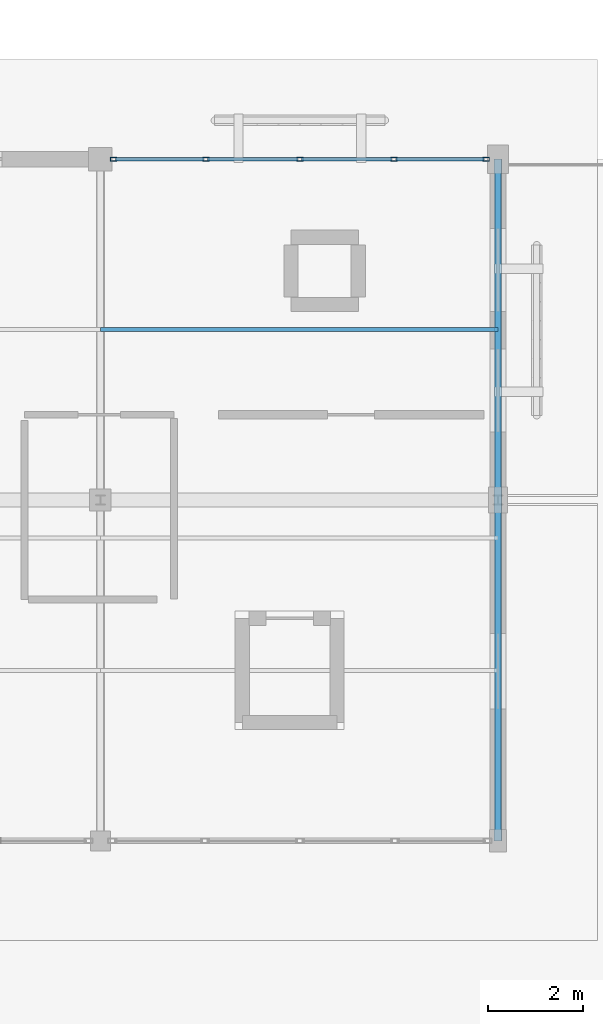
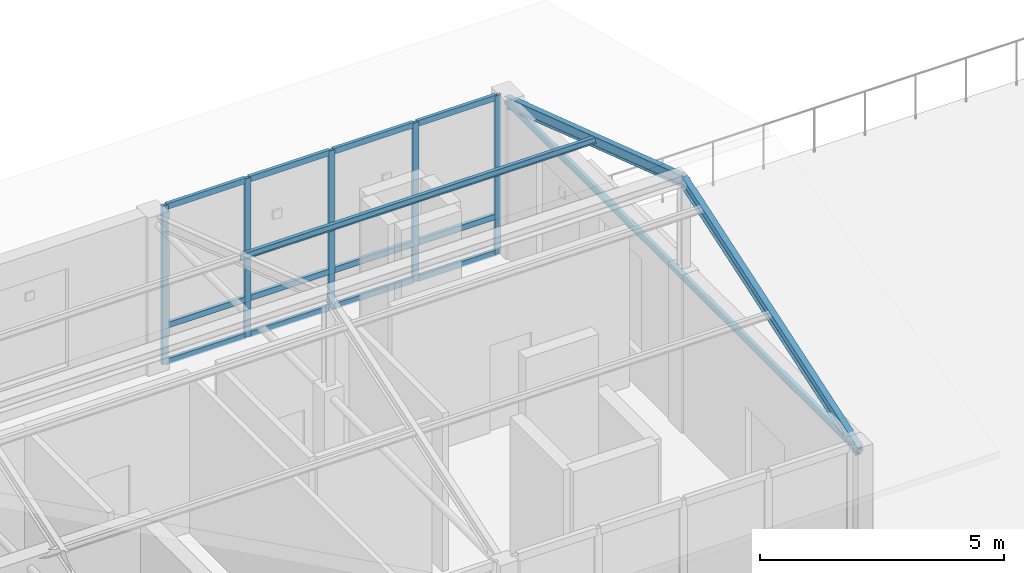
# One storey, part 39 of 112: 21 members, 1 element without a shape of its own.
"""IFC4 building model written with IfcOpenShell, lengths in metres."""

from ifc_helpers import new_model, si_unit, direction, frame, origin, origin_2d, place, context, subcontext, project, spatial, hollow_rectangle, hollow_circle, i_section, extrude, material, layer, layer_set, material_profile, profile_set, type_object, element, aggregate, save


model = new_model("IFC4")

# Units and contexts
model_context = context("Model", 3, precision=1e-05, world=origin(), true_north=direction((0.0, 1.0)))
body_context = subcontext(model_context, "Body", "Model", "MODEL_VIEW")
ifc_project = project(units=[si_unit("LENGTHUNIT", "METRE"), si_unit("AREAUNIT", "SQUARE_METRE"), si_unit("VOLUMEUNIT", "CUBIC_METRE"), si_unit("PLANEANGLEUNIT", "RADIAN"), si_unit("MASSUNIT", "GRAM", prefix="KILO")], contexts=[model_context])

# Site, building, storey
site_placement = place(None, origin())
site = spatial("IfcSite", under=ifc_project, at=site_placement, CompositionType="ELEMENT")
building_placement = place(site_placement, origin())
building = spatial("IfcBuilding", under=site, at=building_placement, Name="Mazaris Harbour Polytechnic", CompositionType="ELEMENT")
storey_placement = place(building_placement, frame((0.0, 0.0, 13.800048828125)))
storey = spatial("IfcBuildingStorey", under=building, at=storey_placement, Name="L03", CompositionType="ELEMENT", Elevation=13.800048828125)

# Curtain wall, members
ifc_material_1 = material(Name="Anodised Bronze Aluminium and Low-E Glass", Category="aluminium")
ifc_layer = layer(ifc_material_1, 0.159912109375, Name="Anodised Bronze Aluminium and Low-E Glass")
ifc_layer_set = layer_set([ifc_layer], Name="Anodised Bronze Aluminium and Low-E Glass")
curtain_wall_type = type_object("IfcCurtainWallType", Name="Cloister Court Curtain Wall", PredefinedType="NOTDEFINED", material=ifc_layer_set)
curtain_wall_placement = place(storey_placement, origin())
curtain_wall = element("IfcCurtainWall", 1, at=curtain_wall_placement, inside=storey, type_object=curtain_wall_type, Name="V3 L03 Curtain Wall 94", PredefinedType="NOTDEFINED")
ifc_material_2 = material(Name="Anodised Bronze Steel S355", Category="steel")
ifc_material_profile_1 = material_profile(ifc_material_2, hollow_rectangle(XDim=0.080078125, YDim=0.139892578125, WallThickness=0.00634765625, at=origin_2d()), Name="RHS 80x140x6.3")
ifc_profile_set_1 = profile_set([ifc_material_profile_1], Name="Anodised Bronze Steel S355")
member_type_1 = type_object("IfcMemberType", Name="Curtain Mullion RHS80x140", PredefinedType="MULLION", material=ifc_profile_set_1)
member_1_placement = place(storey_placement, frame((71.08203125, 36.0, 0.0), z_axis=(0.0, 0.0, 1.0), x_axis=(0.0, 1.0, 0.0)))
member_1 = element("IfcMember", 2, at=member_1_placement, type_object=member_type_1, Name="CW-02 mullion 1", PredefinedType="MULLION", context=body_context, shape_type="SweptSolid", body=[
    extrude(hollow_rectangle(XDim=0.080078125, YDim=0.139892578125, WallThickness=0.00634765625, at=origin_2d()), origin(), (0.0, 0.0, 1.0), 3.9599609375),
])
member_2_placement = place(storey_placement, frame((73.028564453125, 36.0, 0.0), z_axis=(0.0, 0.0, 1.0), x_axis=(0.0, 1.0, 0.0)))
member_2 = element("IfcMember", 3, at=member_2_placement, type_object=member_type_1, Name="CW-02 mullion 2", PredefinedType="MULLION", context=body_context, shape_type="SweptSolid", body=[
    extrude(hollow_rectangle(XDim=0.080078125, YDim=0.139892578125, WallThickness=0.00634765625, at=origin_2d()), origin(), (0.0, 0.0, 1.0), 3.9599609375),
])
member_3_placement = place(storey_placement, frame((75.014892578125, 36.0, 0.0), z_axis=(0.0, 0.0, 1.0), x_axis=(0.0, 1.0, 0.0)))
member_3 = element("IfcMember", 4, at=member_3_placement, type_object=member_type_1, Name="CW-02 mullion 3", PredefinedType="MULLION", context=body_context, shape_type="SweptSolid", body=[
    extrude(hollow_rectangle(XDim=0.080078125, YDim=0.139892578125, WallThickness=0.00634765625, at=origin_2d()), origin(), (0.0, 0.0, 1.0), 3.9599609375),
])
member_4_placement = place(storey_placement, frame((77.00146484375, 36.0, 0.0), z_axis=(0.0, 0.0, 1.0), x_axis=(0.0, 1.0, 0.0)))
member_4 = element("IfcMember", 5, at=member_4_placement, type_object=member_type_1, Name="CW-02 mullion 4", PredefinedType="MULLION", context=body_context, shape_type="SweptSolid", body=[
    extrude(hollow_rectangle(XDim=0.080078125, YDim=0.139892578125, WallThickness=0.00634765625, at=origin_2d()), origin(), (0.0, 0.0, 1.0), 3.9599609375),
])
member_5_placement = place(storey_placement, frame((78.947998046875, 36.0, 0.0), z_axis=(0.0, 0.0, 1.0), x_axis=(0.0, 1.0, 0.0)))
member_5 = element("IfcMember", 6, at=member_5_placement, type_object=member_type_1, Name="CW-02 mullion 5", PredefinedType="MULLION", context=body_context, shape_type="SweptSolid", body=[
    extrude(hollow_rectangle(XDim=0.080078125, YDim=0.139892578125, WallThickness=0.00634765625, at=origin_2d()), origin(), (0.0, 0.0, 1.0), 3.9599609375),
])
ifc_material_3 = material(Name="Anodised Bronze Steel S355", Category="steel")
ifc_material_profile_2 = material_profile(ifc_material_3, hollow_rectangle(XDim=0.080078125, YDim=0.139892578125, WallThickness=0.00634765625, at=origin_2d()), Name="RHS 80x140x6.3")
ifc_profile_set_2 = profile_set([ifc_material_profile_2], Name="Anodised Bronze Steel S355")
member_type_2 = type_object("IfcMemberType", Name="Curtain Transom RHS80x140", PredefinedType="USERDEFINED", material=ifc_profile_set_2)
member_6_placement = place(storey_placement, frame((71.1220703125, 36.0, 0.0400390625), z_axis=(1.0, 0.0, 0.0), x_axis=(0.0, 1.0, 0.0)))
member_6 = element("IfcMember", 7, at=member_6_placement, type_object=member_type_2, Name="CW-02 transom 1.1", ObjectType="TRANSOM", PredefinedType="USERDEFINED", context=body_context, shape_type="SweptSolid", body=[
    extrude(hollow_rectangle(XDim=0.080078125, YDim=0.139892578125, WallThickness=0.00634765625, at=origin_2d()), origin(), (0.0, 0.0, 1.0), 1.866455078125),
])
member_7_placement = place(storey_placement, frame((71.1220703125, 36.0, 0.949951171875), z_axis=(1.0, 0.0, 0.0), x_axis=(0.0, 1.0, 0.0)))
member_7 = element("IfcMember", 8, at=member_7_placement, type_object=member_type_2, Name="CW-02 transom 1.2", ObjectType="TRANSOM", PredefinedType="USERDEFINED", context=body_context, shape_type="SweptSolid", body=[
    extrude(hollow_rectangle(XDim=0.080078125, YDim=0.139892578125, WallThickness=0.00634765625, at=origin_2d()), origin(), (0.0, 0.0, 1.0), 1.866455078125),
])
member_8_placement = place(storey_placement, frame((71.1220703125, 36.0, 3.919921875), z_axis=(1.0, 0.0, 0.0), x_axis=(0.0, 1.0, 0.0)))
member_8 = element("IfcMember", 9, at=member_8_placement, type_object=member_type_2, Name="CW-02 transom 1.3", ObjectType="TRANSOM", PredefinedType="USERDEFINED", context=body_context, shape_type="SweptSolid", body=[
    extrude(hollow_rectangle(XDim=0.080078125, YDim=0.139892578125, WallThickness=0.00634765625, at=origin_2d()), origin(), (0.0, 0.0, 1.0), 1.866455078125),
])
member_9_placement = place(storey_placement, frame((73.068603515625, 36.0, 0.0400390625), z_axis=(1.0, 0.0, 0.0), x_axis=(0.0, 1.0, 0.0)))
member_9 = element("IfcMember", 10, at=member_9_placement, type_object=member_type_2, Name="CW-02 transom 2.1", ObjectType="TRANSOM", PredefinedType="USERDEFINED", context=body_context, shape_type="SweptSolid", body=[
    extrude(hollow_rectangle(XDim=0.080078125, YDim=0.139892578125, WallThickness=0.00634765625, at=origin_2d()), origin(), (0.0, 0.0, 1.0), 1.906494140625),
])
member_10_placement = place(storey_placement, frame((73.068603515625, 36.0, 0.949951171875), z_axis=(1.0, 0.0, 0.0), x_axis=(0.0, 1.0, 0.0)))
member_10 = element("IfcMember", 11, at=member_10_placement, type_object=member_type_2, Name="CW-02 transom 2.2", ObjectType="TRANSOM", PredefinedType="USERDEFINED", context=body_context, shape_type="SweptSolid", body=[
    extrude(hollow_rectangle(XDim=0.080078125, YDim=0.139892578125, WallThickness=0.00634765625, at=origin_2d()), origin(), (0.0, 0.0, 1.0), 1.906494140625),
])
member_11_placement = place(storey_placement, frame((73.068603515625, 36.0, 3.919921875), z_axis=(1.0, 0.0, 0.0), x_axis=(0.0, 1.0, 0.0)))
member_11 = element("IfcMember", 12, at=member_11_placement, type_object=member_type_2, Name="CW-02 transom 2.3", ObjectType="TRANSOM", PredefinedType="USERDEFINED", context=body_context, shape_type="SweptSolid", body=[
    extrude(hollow_rectangle(XDim=0.080078125, YDim=0.139892578125, WallThickness=0.00634765625, at=origin_2d()), origin(), (0.0, 0.0, 1.0), 1.906494140625),
])
member_12_placement = place(storey_placement, frame((75.054931640625, 36.0, 0.0400390625), z_axis=(1.0, 0.0, 0.0), x_axis=(0.0, 1.0, 0.0)))
member_12 = element("IfcMember", 13, at=member_12_placement, type_object=member_type_2, Name="CW-02 transom 3.1", ObjectType="TRANSOM", PredefinedType="USERDEFINED", context=body_context, shape_type="SweptSolid", body=[
    extrude(hollow_rectangle(XDim=0.080078125, YDim=0.139892578125, WallThickness=0.00634765625, at=origin_2d()), origin(), (0.0, 0.0, 1.0), 1.906494140625),
])
member_13_placement = place(storey_placement, frame((75.054931640625, 36.0, 0.949951171875), z_axis=(1.0, 0.0, 0.0), x_axis=(0.0, 1.0, 0.0)))
member_13 = element("IfcMember", 14, at=member_13_placement, type_object=member_type_2, Name="CW-02 transom 3.2", ObjectType="TRANSOM", PredefinedType="USERDEFINED", context=body_context, shape_type="SweptSolid", body=[
    extrude(hollow_rectangle(XDim=0.080078125, YDim=0.139892578125, WallThickness=0.00634765625, at=origin_2d()), origin(), (0.0, 0.0, 1.0), 1.906494140625),
])
member_14_placement = place(storey_placement, frame((75.054931640625, 36.0, 3.919921875), z_axis=(1.0, 0.0, 0.0), x_axis=(0.0, 1.0, 0.0)))
member_14 = element("IfcMember", 15, at=member_14_placement, type_object=member_type_2, Name="CW-02 transom 3.3", ObjectType="TRANSOM", PredefinedType="USERDEFINED", context=body_context, shape_type="SweptSolid", body=[
    extrude(hollow_rectangle(XDim=0.080078125, YDim=0.139892578125, WallThickness=0.00634765625, at=origin_2d()), origin(), (0.0, 0.0, 1.0), 1.906494140625),
])
member_15_placement = place(storey_placement, frame((77.04150390625, 36.0, 0.0400390625), z_axis=(1.0, 0.0, 0.0), x_axis=(0.0, 1.0, 0.0)))
member_15 = element("IfcMember", 16, at=member_15_placement, type_object=member_type_2, Name="CW-02 transom 4.1", ObjectType="TRANSOM", PredefinedType="USERDEFINED", context=body_context, shape_type="SweptSolid", body=[
    extrude(hollow_rectangle(XDim=0.080078125, YDim=0.139892578125, WallThickness=0.00634765625, at=origin_2d()), origin(), (0.0, 0.0, 1.0), 1.866455078125),
])
member_16_placement = place(storey_placement, frame((77.04150390625, 36.0, 0.949951171875), z_axis=(1.0, 0.0, 0.0), x_axis=(0.0, 1.0, 0.0)))
member_16 = element("IfcMember", 17, at=member_16_placement, type_object=member_type_2, Name="CW-02 transom 4.2", ObjectType="TRANSOM", PredefinedType="USERDEFINED", context=body_context, shape_type="SweptSolid", body=[
    extrude(hollow_rectangle(XDim=0.080078125, YDim=0.139892578125, WallThickness=0.00634765625, at=origin_2d()), origin(), (0.0, 0.0, 1.0), 1.866455078125),
])
member_17_placement = place(storey_placement, frame((77.04150390625, 36.0, 3.919921875), z_axis=(1.0, 0.0, 0.0), x_axis=(0.0, 1.0, 0.0)))
member_17 = element("IfcMember", 18, at=member_17_placement, type_object=member_type_2, Name="CW-02 transom 4.3", ObjectType="TRANSOM", PredefinedType="USERDEFINED", context=body_context, shape_type="SweptSolid", body=[
    extrude(hollow_rectangle(XDim=0.080078125, YDim=0.139892578125, WallThickness=0.00634765625, at=origin_2d()), origin(), (0.0, 0.0, 1.0), 1.866455078125),
])
aggregate(curtain_wall, [member_1, member_2, member_3, member_4, member_5, member_6, member_7, member_8, member_9, member_10, member_11, member_12, member_13, member_14, member_15, member_16, member_17])

# Members
ifc_material_4 = material(Name="Steel S355", Category="steel")
ifc_material_profile_3 = material_profile(ifc_material_4, i_section(OverallWidth=0.08203125, OverallDepth=0.159912109375, WebThickness=0.0048828125, FlangeThickness=0.00732421875, FilletRadius=0.009033203125, at=origin_2d()), Name="IPE 160")
ifc_profile_set_3 = profile_set([ifc_material_profile_3], Name="Steel S355")
member_type_3 = type_object("IfcMemberType", Name="Steel Purlin IPE160", PredefinedType="PURLIN", material=ifc_profile_set_3)
member_18_placement = place(storey_placement, frame((70.800048828125, 32.39990234375, 4.93994140625), z_axis=(1.0, 0.0, 0.0), x_axis=(0.0, 1.0, 0.0)))
element("IfcMember", 19, at=member_18_placement, inside=storey, type_object=member_type_3, Name="V3 Roof Purlin 186", PredefinedType="PURLIN", context=body_context, shape_type="SweptSolid", body=[
    extrude(i_section(OverallWidth=0.08203125, OverallDepth=0.159912109375, WebThickness=0.0048828125, FlangeThickness=0.00732421875, FilletRadius=0.009033203125, at=origin_2d()), origin(), (0.0, 0.0, 1.0), 8.39990234375),
])
ifc_material_5 = material(Name="Steel S355", Category="steel")
ifc_material_profile_4 = material_profile(ifc_material_5, i_section(OverallWidth=0.135009765625, OverallDepth=0.27001953125, WebThickness=0.006591796875, FlangeThickness=0.01025390625, FilletRadius=0.014892578125, at=origin_2d()), Name="IPE 270")
ifc_profile_set_4 = profile_set([ifc_material_profile_4], Name="Steel S355")
member_type_4 = type_object("IfcMemberType", Name="Steel Rafter IPE270", PredefinedType="RAFTER", material=ifc_profile_set_4)
for number, where, z_axis, x_axis, name in (
    (20, (79.199951171875, 21.60009765625, 3.699951171875), (0.0, 0.948686514869, 0.316218115397), (-1.0, 0.0, 0.0), "V3 Pavilion South Rafter 11"),
    (21, (79.199951171875, 28.800048828125, 6.099853515625), (0.0, 0.948686514869, -0.316218115397), (-1.0, 0.0, 0.0), "V3 Pavilion North Rafter 11"),
):
    element("IfcMember", number, at=place(storey_placement, frame(where, z_axis=z_axis, x_axis=x_axis)), inside=storey, type_object=member_type_4, Name=name, PredefinedType="RAFTER", context=body_context, shape_type="SweptSolid", body=[
        extrude(i_section(OverallWidth=0.135009765625, OverallDepth=0.27001953125, WebThickness=0.006591796875, FlangeThickness=0.01025390625, FilletRadius=0.014892578125, at=origin_2d()), origin(), (0.0, 0.0, 1.0), 7.58935546875),
    ])
ifc_material_6 = material(Name="Steel S355", Category="steel")
ifc_material_profile_5 = material_profile(ifc_material_6, hollow_circle(Radius=0.084228515625, WallThickness=0.008056640625, at=origin_2d()), Name="CHS 168.3x8.0")
ifc_profile_set_5 = profile_set([ifc_material_profile_5], Name="Steel S355")
member_type_5 = type_object("IfcMemberType", Name="Steel Truss Strut CHS168", PredefinedType="STRUT", material=ifc_profile_set_5)
member_19_placement = place(storey_placement, frame((79.199951171875, 21.60009765625, 3.699951171875), z_axis=(0.0, 1.0, 0.0), x_axis=(-1.0, 0.0, 0.0)))
element("IfcMember", 22, at=member_19_placement, inside=storey, type_object=member_type_5, Name="V3 Pavilion Tie 11", PredefinedType="STRUT", context=body_context, shape_type="SweptSolid", body=[
    extrude(hollow_circle(Radius=0.084228515625, WallThickness=0.008056640625, at=origin_2d()), origin(), (0.0, 0.0, 1.0), 14.39990234375),
])

save(model, "model.ifc")
